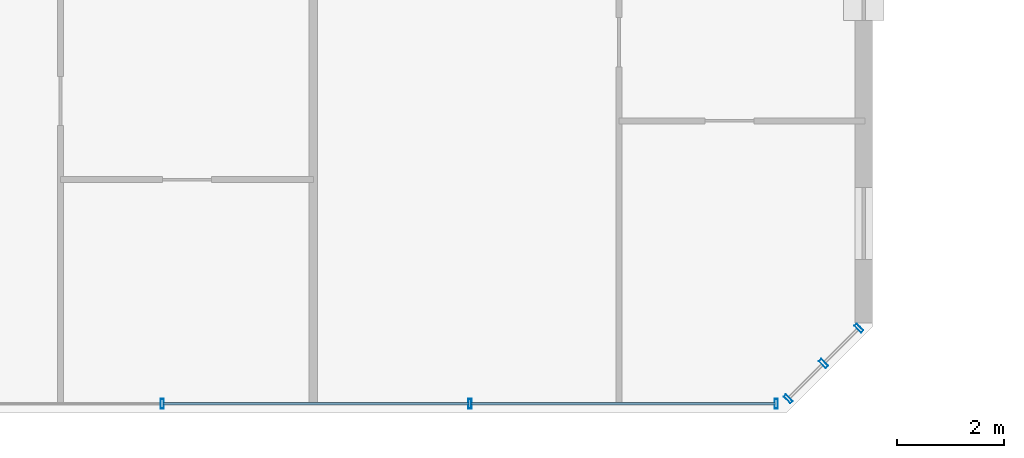
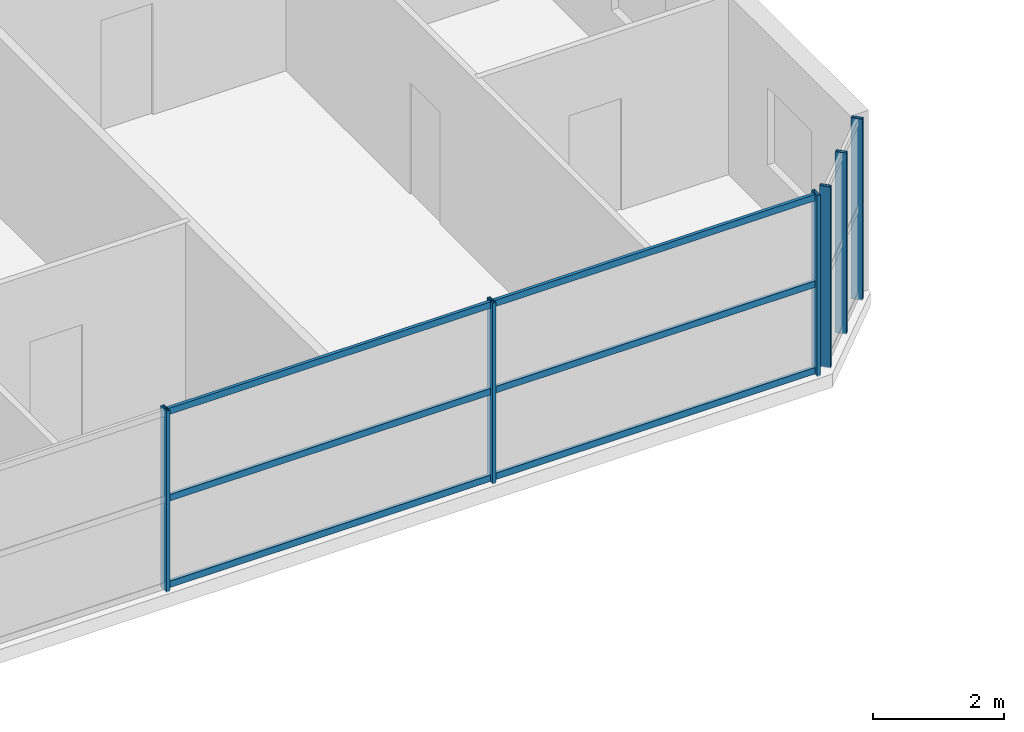
# One storey, part 6 of 23: 12 members, 2 elements without a shape of their own.
"""IFC4 building model written with IfcOpenShell, lengths in metres."""

from ifc_helpers import new_model, si_unit, direction, frame, origin, origin_2d, place, context, subcontext, project, spatial, hollow_rectangle, extrude, source, transform, mapped, material, material_profile, profile_set, type_object, element, aggregate, save


model = new_model("IFC4")

# Units and contexts
model_context = context("Model", 3, precision=1e-05, world=origin(), true_north=direction((0.0, 1.0)))
body_context = subcontext(model_context, "Body", "Model", "MODEL_VIEW")
ifc_project = project(units=[si_unit("LENGTHUNIT", "METRE"), si_unit("AREAUNIT", "SQUARE_METRE"), si_unit("VOLUMEUNIT", "CUBIC_METRE"), si_unit("PLANEANGLEUNIT", "RADIAN"), si_unit("MASSUNIT", "GRAM", prefix="KILO")], contexts=[model_context])

# Site, building, storey
site_placement = place(None, origin())
site = spatial("IfcSite", under=ifc_project, at=site_placement, CompositionType="ELEMENT")
building_placement = place(site_placement, origin())
building = spatial("IfcBuilding", under=site, at=building_placement, Name="Tlacorven Tower", CompositionType="ELEMENT")
storey_placement = place(building_placement, frame((0.0, 0.0, 218.39990234375)))
storey = spatial("IfcBuildingStorey", under=building, at=storey_placement, Name="L55", CompositionType="ELEMENT", Elevation=218.39990234375)

# Curtain wall, members
ifc_material_1 = material(Name="Dark solar low-E double glazing in aluminium frame", Category="aluminium")
curtain_wall_type = type_object("IfcCurtainWallType", Name="CW-TWR-HIGH", PredefinedType="USERDEFINED", material=ifc_material_1)
curtain_wall_1_placement = place(storey_placement, origin())
curtain_wall_1 = element("IfcCurtainWall", 1, at=curtain_wall_1_placement, inside=storey, type_object=curtain_wall_type, Name="L55 CW-TWR-HIGH Curtain Wall 249", ObjectType="UNITISED CURTAIN WALL", PredefinedType="USERDEFINED")
ifc_material_2 = material(Name="Aluminium 6063-T6 anodised", Category="aluminium")
ifc_material_profile_1 = material_profile(ifc_material_2, hollow_rectangle(XDim=0.06005859375, YDim=0.179931640625, WallThickness=0.00390625, at=origin_2d()), Name="ALU MULLION 60X180")
ifc_profile_set_1 = profile_set([ifc_material_profile_1], Name="Aluminium 6063-T6 anodised")
member_type_1 = type_object("IfcMemberType", Name="CWM-03", PredefinedType="MULLION", material=ifc_profile_set_1)
shared_shape_1 = source(origin(), body_context, "Body", "SweptSolid", [
    extrude(hollow_rectangle(XDim=0.06005859375, YDim=0.179931640625, WallThickness=0.00390625, at=origin_2d()), origin(), (0.0, 0.0, 1.0), 3.380126953125),
])
member_1_placement = place(storey_placement, frame((52.148193359375, 3.374267578125, -0.02001953125), z_axis=(0.0, 0.0, 1.0), x_axis=(-0.707106781187, -0.707106781187, 0.0)))
member_1 = element("IfcMember", 2, at=member_1_placement, type_object=member_type_1, Name="CW-L55-249 Mullion 1", PredefinedType="MULLION", context=body_context, shape_type="MappedRepresentation", body=[
    mapped(shared_shape_1, transform((0.0, 0.0, 0.0), scale=1.0)),
])
member_2_placement = place(storey_placement, frame((51.48681640625, 2.713134765625, -0.02001953125), z_axis=(0.0, 0.0, 1.0), x_axis=(-0.707106781187, -0.707106781187, 0.0)))
member_2 = element("IfcMember", 3, at=member_2_placement, type_object=member_type_1, Name="CW-L55-249 Mullion 2", PredefinedType="MULLION", context=body_context, shape_type="MappedRepresentation", body=[
    mapped(shared_shape_1, transform((0.0, 0.0, 0.0), scale=1.0)),
])
member_3_placement = place(storey_placement, frame((50.82568359375, 2.052001953125, -0.02001953125), z_axis=(0.0, 0.0, 1.0), x_axis=(-0.707106781187, -0.707106781187, 0.0)))
member_3 = element("IfcMember", 4, at=member_3_placement, type_object=member_type_1, Name="CW-L55-249 Mullion 3", PredefinedType="MULLION", context=body_context, shape_type="MappedRepresentation", body=[
    mapped(shared_shape_1, transform((0.0, 0.0, 0.0), scale=1.0)),
])
aggregate(curtain_wall_1, [member_1, member_2, member_3])

curtain_wall_2_placement = place(storey_placement, origin())
curtain_wall_2 = element("IfcCurtainWall", 5, at=curtain_wall_2_placement, inside=storey, type_object=curtain_wall_type, Name="L55 CW-TWR-HIGH Curtain Wall 250", ObjectType="UNITISED CURTAIN WALL", PredefinedType="USERDEFINED")
member_4_placement = place(storey_placement, frame((50.603759765625, 1.9599609375, -0.02001953125), z_axis=(0.0, 0.0, 1.0), x_axis=(-1.0, 0.0, 0.0)))
member_4 = element("IfcMember", 6, at=member_4_placement, type_object=member_type_1, Name="CW-L55-250 Mullion 1", PredefinedType="MULLION", context=body_context, shape_type="MappedRepresentation", body=[
    mapped(shared_shape_1, transform((0.0, 0.0, 0.0), scale=1.0)),
])
member_5_placement = place(storey_placement, frame((44.8779296875, 1.9599609375, -0.02001953125), z_axis=(0.0, 0.0, 1.0), x_axis=(-1.0, 0.0, 0.0)))
member_5 = element("IfcMember", 7, at=member_5_placement, type_object=member_type_1, Name="CW-L55-250 Mullion 2", PredefinedType="MULLION", context=body_context, shape_type="MappedRepresentation", body=[
    mapped(shared_shape_1, transform((0.0, 0.0, 0.0), scale=1.0)),
])
member_6_placement = place(storey_placement, frame((39.1220703125, 1.9599609375, -0.02001953125), z_axis=(0.0, 0.0, 1.0), x_axis=(-1.0, 0.0, 0.0)))
member_6 = element("IfcMember", 8, at=member_6_placement, type_object=member_type_1, Name="CW-L55-250 Mullion 3", PredefinedType="MULLION", context=body_context, shape_type="MappedRepresentation", body=[
    mapped(shared_shape_1, transform((0.0, 0.0, 0.0), scale=1.0)),
])
ifc_material_profile_2 = material_profile(ifc_material_2, hollow_rectangle(XDim=0.054931640625, YDim=0.1201171875, WallThickness=0.00341796875, at=origin_2d()), Name="ALU TRANSOM 55X120")
ifc_profile_set_2 = profile_set([ifc_material_profile_2], Name="Aluminium 6063-T6 anodised")
member_type_2 = type_object("IfcMemberType", Name="CWT-03", PredefinedType="USERDEFINED", material=ifc_profile_set_2)
shared_shape_2 = source(origin(), body_context, "Body", "SweptSolid", [
    extrude(hollow_rectangle(XDim=0.054931640625, YDim=0.1201171875, WallThickness=0.00341796875, at=origin_2d()), origin(), (0.0, 0.0, 1.0), 5.689697265625),
])
member_7_placement = place(storey_placement, frame((50.585693359375, 1.9599609375, 0.06005859375), z_axis=(-1.0, 0.0, 0.0), x_axis=(0.0, -1.0, 0.0)))
member_7 = element("IfcMember", 9, at=member_7_placement, type_object=member_type_2, Name="CW-L55-250 Transom 1", ObjectType="TRANSOM", PredefinedType="USERDEFINED", context=body_context, shape_type="MappedRepresentation", body=[
    mapped(shared_shape_2, transform((0.0, 0.0, 0.0), scale=1.0)),
])
member_8_placement = place(storey_placement, frame((50.585693359375, 1.9599609375, 1.675048828125), z_axis=(-1.0, 0.0, 0.0), x_axis=(0.0, -1.0, 0.0)))
member_8 = element("IfcMember", 10, at=member_8_placement, type_object=member_type_2, Name="CW-L55-250 Transom 2", ObjectType="TRANSOM", PredefinedType="USERDEFINED", context=body_context, shape_type="MappedRepresentation", body=[
    mapped(shared_shape_2, transform((0.0, 0.0, 0.0), scale=1.0)),
])
member_9_placement = place(storey_placement, frame((50.585693359375, 1.9599609375, 3.2900390625), z_axis=(-1.0, 0.0, 0.0), x_axis=(0.0, -1.0, 0.0)))
member_9 = element("IfcMember", 11, at=member_9_placement, type_object=member_type_2, Name="CW-L55-250 Transom 3", ObjectType="TRANSOM", PredefinedType="USERDEFINED", context=body_context, shape_type="MappedRepresentation", body=[
    mapped(shared_shape_2, transform((0.0, 0.0, 0.0), scale=1.0)),
])
shared_shape_3 = source(origin(), body_context, "Body", "SweptSolid", [
    extrude(hollow_rectangle(XDim=0.054931640625, YDim=0.1201171875, WallThickness=0.00341796875, at=origin_2d()), origin(), (0.0, 0.0, 1.0), 5.7197265625),
])
member_10_placement = place(storey_placement, frame((44.85986328125, 1.9599609375, 0.06005859375), z_axis=(-1.0, 0.0, 0.0), x_axis=(0.0, -1.0, 0.0)))
member_10 = element("IfcMember", 12, at=member_10_placement, type_object=member_type_2, Name="CW-L55-250 Transom 4", ObjectType="TRANSOM", PredefinedType="USERDEFINED", context=body_context, shape_type="MappedRepresentation", body=[
    mapped(shared_shape_3, transform((0.0, 0.0, 0.0), scale=1.0)),
])
member_11_placement = place(storey_placement, frame((44.85986328125, 1.9599609375, 1.675048828125), z_axis=(-1.0, 0.0, 0.0), x_axis=(0.0, -1.0, 0.0)))
member_11 = element("IfcMember", 13, at=member_11_placement, type_object=member_type_2, Name="CW-L55-250 Transom 5", ObjectType="TRANSOM", PredefinedType="USERDEFINED", context=body_context, shape_type="MappedRepresentation", body=[
    mapped(shared_shape_3, transform((0.0, 0.0, 0.0), scale=1.0)),
])
member_12_placement = place(storey_placement, frame((44.85986328125, 1.9599609375, 3.2900390625), z_axis=(-1.0, 0.0, 0.0), x_axis=(0.0, -1.0, 0.0)))
member_12 = element("IfcMember", 14, at=member_12_placement, type_object=member_type_2, Name="CW-L55-250 Transom 6", ObjectType="TRANSOM", PredefinedType="USERDEFINED", context=body_context, shape_type="MappedRepresentation", body=[
    mapped(shared_shape_3, transform((0.0, 0.0, 0.0), scale=1.0)),
])
aggregate(curtain_wall_2, [member_4, member_5, member_6, member_7, member_8, member_9, member_10, member_11, member_12])

save(model, "model.ifc")
